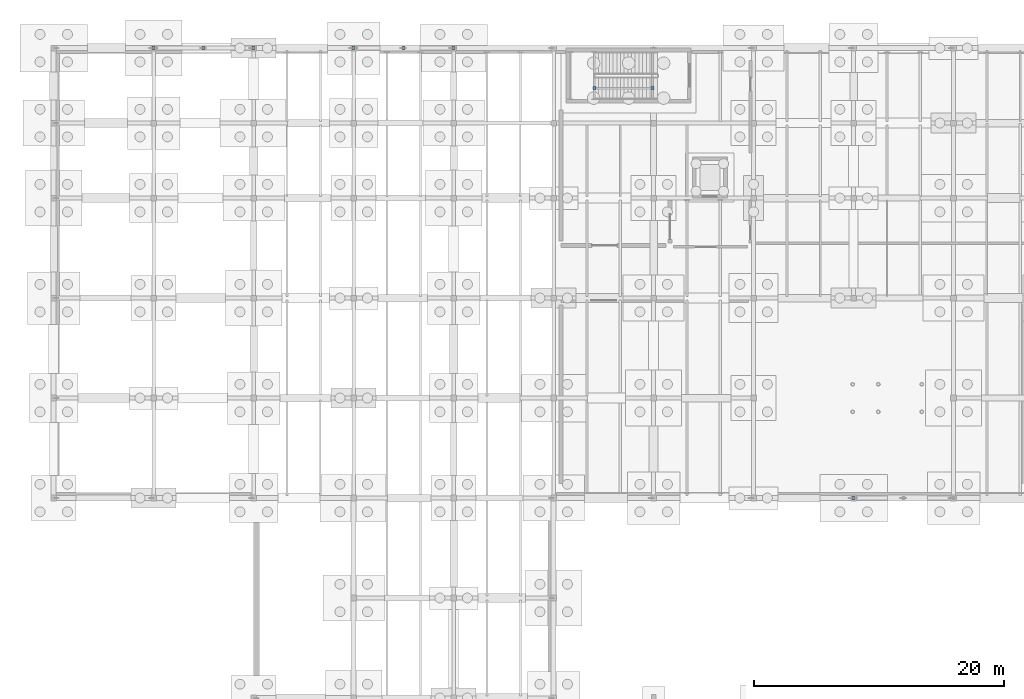
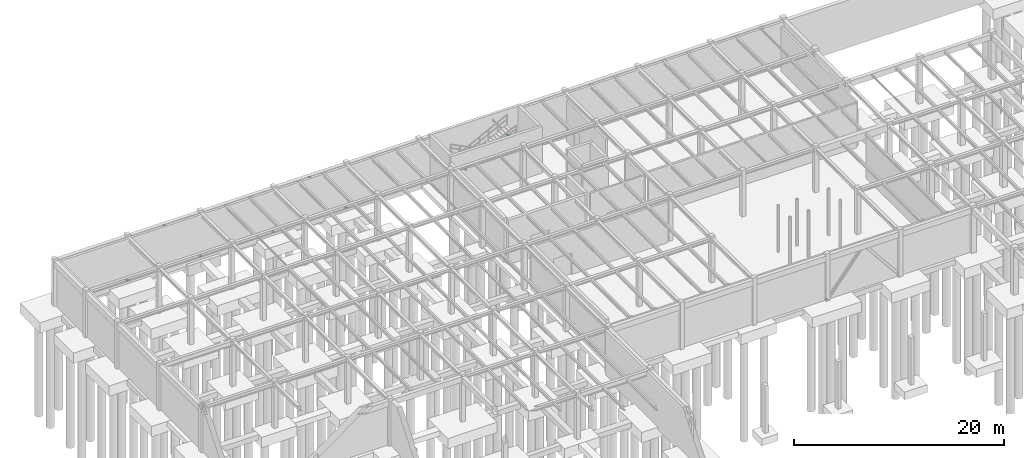
# One storey, part 62 of 71: 9 discrete accessories.
"""IFC4 building model written with IfcOpenShell, lengths in metres."""

from ifc_helpers import new_model, si_unit, direction, frame, origin, origin_2d, place, context, subcontext, project, spatial, rectangle, extrude, material, type_object, element, save


model = new_model("IFC4")

# Units and contexts
model_context = context("Model", 3, precision=1e-05, world=origin(), true_north=direction((0.0, 1.0)))
body_context = subcontext(model_context, "Body", "Model", "MODEL_VIEW")
ifc_project = project(units=[si_unit("LENGTHUNIT", "METRE"), si_unit("AREAUNIT", "SQUARE_METRE"), si_unit("VOLUMEUNIT", "CUBIC_METRE"), si_unit("PLANEANGLEUNIT", "RADIAN"), si_unit("MASSUNIT", "GRAM", prefix="KILO")], contexts=[model_context])

# Site, building, storey
site_placement = place(None, origin())
site = spatial("IfcSite", under=ifc_project, at=site_placement, CompositionType="ELEMENT")
building_placement = place(site_placement, origin())
building = spatial("IfcBuilding", under=site, at=building_placement, Name="Sundkrona Museum", CompositionType="ELEMENT")
storey_placement = place(building_placement, frame((0.0, 0.0, -5.39990234375)))
storey = spatial("IfcBuildingStorey", under=building, at=storey_placement, Name="B1", CompositionType="ELEMENT", Elevation=-5.39990234375)

# Discrete accessories
ifc_material = material(Name="Stainless Steel EN 1.4404 Cleat", Category="steel")
discrete_accessory_type = type_object("IfcDiscreteAccessoryType", Name="BRK-FIN-01", PredefinedType="BRACKET", material=ifc_material)
for number, where, z_axis, x_axis, name in (
    (1, (24.0, 114.0, -0.012451171875), (0.0, 0.0, 1.0), (1.0, 0.0, 0.0), "Brace and Strut End Connection Plate BR-B1-013A-1"),
    (2, (28.0, 114.0, 4.927490234375), (0.0, 0.0, 1.0), (1.0, 0.0, 0.0), "Brace and Strut End Connection Plate BR-B1-013A-2"),
    (3, (32.0, 114.0, -0.012451171875), (0.0, 0.0, 1.0), (1.0, 0.0, 0.0), "Brace and Strut End Connection Plate BR-B1-013B-1"),
    (4, (64.0, 78.0, -0.012451171875), (0.0, 0.0, 1.0), (1.0, 0.0, 0.0), "Brace and Strut End Connection Plate BR-B1-018A-1"),
    (5, (8.0, 114.0, -0.012451171875), (0.0, 0.0, 1.0), (1.0, 0.0, 0.0), "Brace and Strut End Connection Plate BR-B1-032A-1"),
    (6, (12.0, 114.0, 4.927490234375), (0.0, 0.0, 1.0), (1.0, 0.0, 0.0), "Brace and Strut End Connection Plate BR-B1-032A-2"),
    (7, (16.0, 114.0, -0.012451171875), (0.0, 0.0, 1.0), (1.0, 0.0, 0.0), "Brace and Strut End Connection Plate BR-B1-032B-1"),
    (8, (43.284912109375, 110.800048828125, 2.367431640625), (0.0, 0.0, 1.0), (1.0, 0.0, 0.0), "Brace and Strut End Connection Plate RK-ST-ST-3-B1-2-1"),
    (9, (47.89990234375, 110.800048828125, 4.8017578125), (0.0, 0.0, 1.0), (1.0, 0.0, 0.0), "Brace and Strut End Connection Plate RK-ST-ST-3-B1-2-2"),
):
    element("IfcDiscreteAccessory", number, at=place(storey_placement, frame(where, z_axis=z_axis, x_axis=x_axis)), inside=storey, type_object=discrete_accessory_type, Name=name, PredefinedType="BRACKET", context=body_context, shape_type="SweptSolid", body=[
        extrude(rectangle(XDim=0.239990234375, YDim=0.239990234375, at=origin_2d()), origin(), (0.0, 0.0, 1.0), 0.02490234375),
    ])

save(model, "model.ifc")
